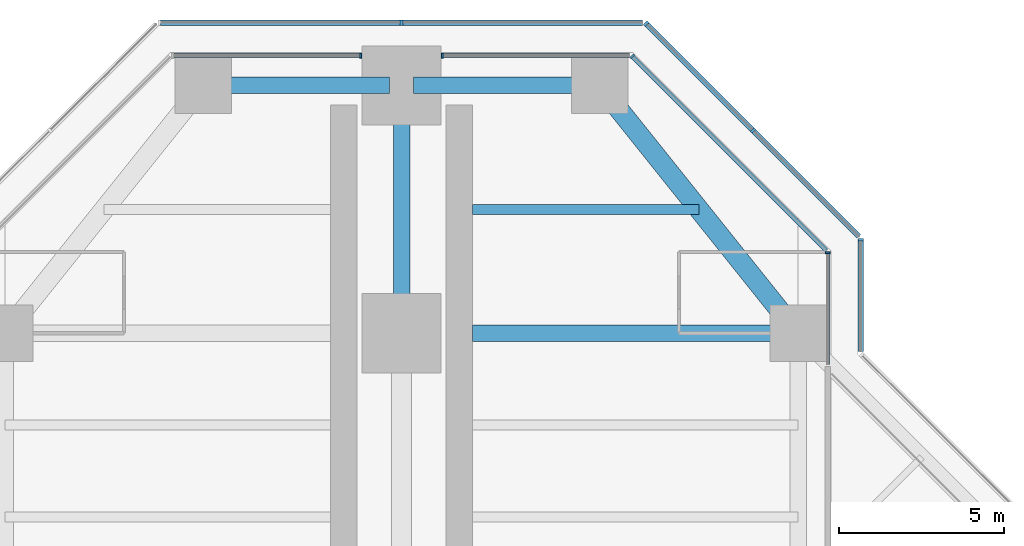
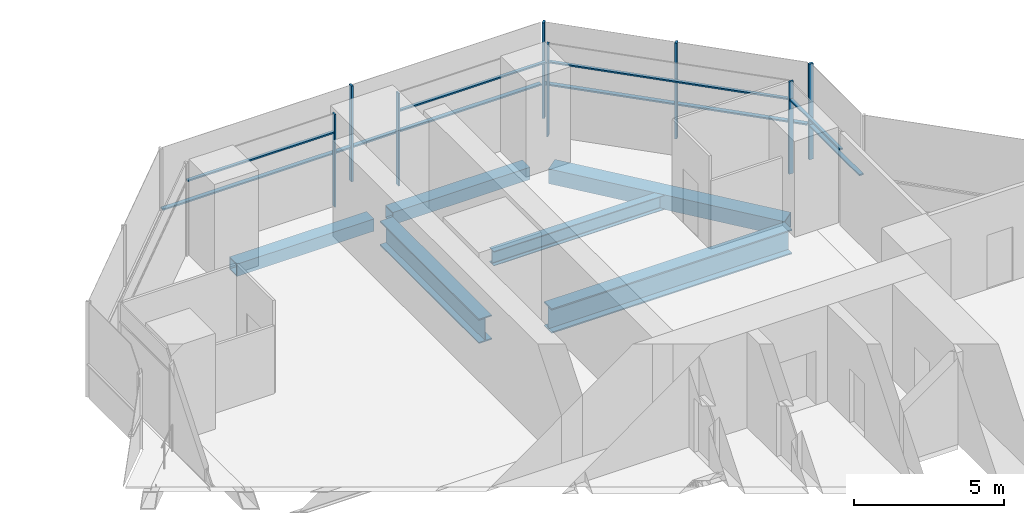
# One storey, part 10 of 20: 17 members, 6 beams, 7 elements without a shape of their own.
"""IFC4 building model written with IfcOpenShell, lengths in metres."""

from ifc_helpers import new_model, si_unit, direction, frame, origin, origin_2d, place, context, subcontext, project, spatial, rectangle, hollow_rectangle, i_section, extrude, material, material_profile, profile_set, type_object, element, aggregate, save


model = new_model("IFC4")

# Units and contexts
model_context = context("Model", 3, precision=1e-05, world=origin(), true_north=direction((0.0, 1.0)))
body_context = subcontext(model_context, "Body", "Model", "MODEL_VIEW")
ifc_project = project(units=[si_unit("LENGTHUNIT", "METRE"), si_unit("AREAUNIT", "SQUARE_METRE"), si_unit("VOLUMEUNIT", "CUBIC_METRE"), si_unit("PLANEANGLEUNIT", "RADIAN"), si_unit("MASSUNIT", "GRAM", prefix="KILO")], contexts=[model_context])

# Site, building, storey
site_placement = place(None, origin())
site = spatial("IfcSite", under=ifc_project, at=site_placement, CompositionType="ELEMENT")
building_placement = place(site_placement, origin())
building = spatial("IfcBuilding", under=site, at=building_placement, Name="Mizan Broadcast Tower", CompositionType="ELEMENT")
storey_placement = place(building_placement, frame((0.0, 0.0, 171.0)))
storey = spatial("IfcBuildingStorey", under=building, at=storey_placement, Name="L39", CompositionType="ELEMENT", Elevation=171.0)

# Beams
ifc_material_1 = material(Name="Steel S355", Category="steel")
ifc_material_profile_1 = material_profile(ifc_material_1, hollow_rectangle(XDim=0.5, YDim=0.5, WallThickness=0.030029296875, at=origin_2d()), Name="BOX 500x500x30")
ifc_profile_set_1 = profile_set([ifc_material_profile_1], Name="Steel S355")
beam_type_1 = type_object("IfcBeamType", Name="EDGE BEAM BOX 500x500x30", PredefinedType="SPANDREL", material=ifc_profile_set_1)
for number, where, z_axis, x_axis, name in (
    (1, (5.639892578125, 27.0, -0.3798828125), (-1.0, 0.0, 0.0), (0.0, -1.0, 0.0), "Edge beam BOX 500x500x30 L39 north arm"),
    (2, (-5.639892578125, 27.0, -0.3798828125), (1.0, 0.0, 0.0), (0.0, 1.0, 0.0), "Edge beam BOX 500x500x30 L39 north arm"),
):
    element("IfcBeam", number, at=place(storey_placement, frame(where, z_axis=z_axis, x_axis=x_axis)), inside=storey, type_object=beam_type_1, Name=name, PredefinedType="SPANDREL", context=body_context, shape_type="SweptSolid", body=[
        extrude(hollow_rectangle(XDim=0.5, YDim=0.5, WallThickness=0.030029296875, at=origin_2d()), origin(), (0.0, 0.0, 1.0), 5.27978515625),
    ])
ifc_material_2 = material(Name="Steel S355", Category="steel")
ifc_material_profile_2 = material_profile(ifc_material_2, hollow_rectangle(XDim=0.60009765625, YDim=0.60009765625, WallThickness=0.030029296875, at=origin_2d()), Name="BOX 600x600x30")
ifc_profile_set_2 = profile_set([ifc_material_profile_2], Name="Steel S355")
beam_type_2 = type_object("IfcBeamType", Name="EDGE BEAM BOX 600x600x30", PredefinedType="SPANDREL", material=ifc_profile_set_2)
beam_1_placement = place(storey_placement, frame((11.639892578125, 19.949951171875, -0.429931640625), z_axis=(-0.624673911726, 0.780885717636, 0.0), x_axis=(-0.780885717636, -0.624673911726, 0.0)))
element("IfcBeam", 3, at=beam_1_placement, inside=storey, type_object=beam_type_2, Name="Edge beam BOX 600x600x30 L39 north arm", PredefinedType="SPANDREL", context=body_context, shape_type="SweptSolid", body=[
    extrude(hollow_rectangle(XDim=0.60009765625, YDim=0.60009765625, WallThickness=0.030029296875, at=origin_2d()), origin(), (0.0, 0.0, 1.0), 8.4521484375),
])
ifc_material_3 = material(Name="Steel S460", Category="steel")
ifc_material_profile_3 = material_profile(ifc_material_3, i_section(OverallWidth=0.5, OverallDepth=1.0, WebThickness=0.02490234375, FlangeThickness=0.050048828125, at=origin_2d()), Name="WPG 1000x500")
ifc_profile_set_3 = profile_set([ifc_material_profile_3], Name="Steel S460")
beam_type_3 = type_object("IfcBeamType", Name="GIRDER WPG 1000x500", PredefinedType="BEAM", material=ifc_profile_set_3)
beam_2_placement = place(storey_placement, frame((0.0, 19.949951171875, -0.6298828125), z_axis=(0.0, 1.0, 0.0), x_axis=(-1.0, 0.0, 0.0)))
element("IfcBeam", 4, at=beam_2_placement, inside=storey, type_object=beam_type_3, Name="Girder WPG 1000x500 L39 north arm", PredefinedType="BEAM", context=body_context, shape_type="SweptSolid", body=[
    extrude(i_section(OverallWidth=0.5, OverallDepth=1.0, WebThickness=0.02490234375, FlangeThickness=0.050048828125, at=origin_2d()), origin(), (0.0, 0.0, 1.0), 6.60009765625),
])
beam_3_placement = place(storey_placement, frame((11.408935546875, 19.5, -0.6298828125), z_axis=(-1.0, 0.0, 0.0), x_axis=(0.0, -1.0, 0.0)))
element("IfcBeam", 5, at=beam_3_placement, inside=storey, type_object=beam_type_3, Name="Girder WPG 1000x500 L39 north arm", PredefinedType="BEAM", context=body_context, shape_type="SweptSolid", body=[
    extrude(i_section(OverallWidth=0.5, OverallDepth=1.0, WebThickness=0.02490234375, FlangeThickness=0.050048828125, at=origin_2d()), origin(), (0.0, 0.0, 1.0), 9.259033203125),
])

# Curtain wall, member
ifc_material_4 = material(Name="Aluminium framed glazing", Category="aluminium")
curtain_wall_type_1 = type_object("IfcCurtainWallType", Name="INNER SKIN MID ZONE", PredefinedType="USERDEFINED", material=ifc_material_4)
curtain_wall_1_placement = place(storey_placement, origin())
curtain_wall_1 = element("IfcCurtainWall", 6, at=curtain_wall_1_placement, inside=storey, type_object=curtain_wall_type_1, Name="Inner skin mid zone L39 N side", ObjectType="INNER SKIN MID ZONE", PredefinedType="USERDEFINED")
ifc_material_5 = material(Name="Aluminium, pale anodised", Category="aluminium")
ifc_material_profile_4 = material_profile(ifc_material_5, rectangle(XDim=0.159912109375, YDim=0.06005859375, at=origin_2d()), Name="MULLION 160x60")
ifc_profile_set_4 = profile_set([ifc_material_profile_4], Name="Aluminium, pale anodised")
member_type_1 = type_object("IfcMemberType", Name="INNER SKIN MULLION 60x160", PredefinedType="MULLION", material=ifc_profile_set_4)
member_1_placement = place(storey_placement, frame((12.89990234375, 21.928466796875, 0.0), z_axis=(0.0, 0.0, 1.0), x_axis=(-1.0, 0.0, 0.0)))
member_1 = element("IfcMember", 7, at=member_1_placement, type_object=member_type_1, Name="Inner skin mid zone L39 N side mullion 2", PredefinedType="MULLION", context=body_context, shape_type="SweptSolid", body=[
    extrude(rectangle(XDim=0.159912109375, YDim=0.06005859375, at=origin_2d()), origin(), (0.0, 0.0, 1.0), 3.77001953125),
])

curtain_wall_2_placement = place(storey_placement, origin())
curtain_wall_2 = element("IfcCurtainWall", 8, at=curtain_wall_2_placement, inside=storey, type_object=curtain_wall_type_1, Name="Inner skin mid zone L39 N chamfer", ObjectType="INNER SKIN MID ZONE", PredefinedType="USERDEFINED")
member_2_placement = place(storey_placement, frame((6.979736328125, 27.87890625, 0.0), z_axis=(0.0, 0.0, 1.0), x_axis=(-0.707106781187, -0.707106781187, 0.0)))
member_2 = element("IfcMember", 9, at=member_2_placement, type_object=member_type_1, Name="Inner skin mid zone L39 N chamfer mullion 2", PredefinedType="MULLION", context=body_context, shape_type="SweptSolid", body=[
    extrude(rectangle(XDim=0.159912109375, YDim=0.06005859375, at=origin_2d()), origin(), (0.0, 0.0, 1.0), 3.77001953125),
])

curtain_wall_3_placement = place(storey_placement, origin())
curtain_wall_3 = element("IfcCurtainWall", 10, at=curtain_wall_3_placement, inside=storey, type_object=curtain_wall_type_1, Name="Inner skin mid zone L39 N end", ObjectType="INNER SKIN MID ZONE", PredefinedType="USERDEFINED")
member_3_placement = place(storey_placement, frame((1.22998046875, 27.89990234375, 0.0), z_axis=(0.0, 0.0, 1.0), x_axis=(0.0, -1.0, 0.0)))
member_3 = element("IfcMember", 11, at=member_3_placement, type_object=member_type_1, Name="Inner skin mid zone L39 N end mullion 2", PredefinedType="MULLION", context=body_context, shape_type="SweptSolid", body=[
    extrude(rectangle(XDim=0.159912109375, YDim=0.06005859375, at=origin_2d()), origin(), (0.0, 0.0, 1.0), 3.77001953125),
])

curtain_wall_4_placement = place(storey_placement, origin())
curtain_wall_4 = element("IfcCurtainWall", 12, at=curtain_wall_4_placement, inside=storey, type_object=curtain_wall_type_1, Name="Inner skin mid zone L39 N end", ObjectType="INNER SKIN MID ZONE", PredefinedType="USERDEFINED")
member_4_placement = place(storey_placement, frame((-1.22998046875, 27.89990234375, 0.0), z_axis=(0.0, 0.0, 1.0), x_axis=(0.0, -1.0, 0.0)))
member_4 = element("IfcMember", 13, at=member_4_placement, type_object=member_type_1, Name="Inner skin mid zone L39 N end mullion 1", PredefinedType="MULLION", context=body_context, shape_type="SweptSolid", body=[
    extrude(rectangle(XDim=0.159912109375, YDim=0.06005859375, at=origin_2d()), origin(), (0.0, 0.0, 1.0), 3.77001953125),
])

# Member
ifc_material_6 = material(Name="Aluminium, pale anodised", Category="aluminium")
ifc_material_profile_5 = material_profile(ifc_material_6, rectangle(XDim=0.1201171875, YDim=0.06005859375, at=origin_2d()), Name="TRANSOM 120x60")
ifc_profile_set_5 = profile_set([ifc_material_profile_5], Name="Aluminium, pale anodised")
member_type_2 = type_object("IfcMemberType", Name="INNER SKIN TRANSOM 60x120", PredefinedType="USERDEFINED", material=ifc_profile_set_5)
member_5_placement = place(storey_placement, frame((12.89990234375, 18.56005859375, 3.030029296875), z_axis=(0.0, 1.0, 0.0), x_axis=(-1.0, 0.0, 0.0)))
member_5 = element("IfcMember", 14, at=member_5_placement, type_object=member_type_2, Name="Inner skin mid zone L39 N side transom 1.1", ObjectType="TRANSOM", PredefinedType="USERDEFINED", context=body_context, shape_type="SweptSolid", body=[
    extrude(rectangle(XDim=0.1201171875, YDim=0.06005859375, at=origin_2d()), origin(), (0.0, 0.0, 1.0), 3.338623046875),
])

aggregate(curtain_wall_1, [member_1, member_5])

member_6_placement = place(storey_placement, frame((12.857666015625, 22.0009765625, 3.030029296875), z_axis=(-0.707106781187, 0.707106781187, 0.0), x_axis=(-0.707106781187, -0.707106781187, 0.0)))
member_6 = element("IfcMember", 15, at=member_6_placement, type_object=member_type_2, Name="Inner skin mid zone L39 N chamfer transom 1.1", ObjectType="TRANSOM", PredefinedType="USERDEFINED", context=body_context, shape_type="SweptSolid", body=[
    extrude(rectangle(XDim=0.1201171875, YDim=0.06005859375, at=origin_2d()), origin(), (0.0, 0.0, 1.0), 8.28271484375),
])

aggregate(curtain_wall_2, [member_2, member_6])

member_7_placement = place(storey_placement, frame((6.898681640625, 27.89990234375, 3.030029296875), z_axis=(-1.0, 0.0, 0.0), x_axis=(0.0, -1.0, 0.0)))
member_7 = element("IfcMember", 16, at=member_7_placement, type_object=member_type_2, Name="Inner skin mid zone L39 N end transom 1.1", ObjectType="TRANSOM", PredefinedType="USERDEFINED", context=body_context, shape_type="SweptSolid", body=[
    extrude(rectangle(XDim=0.1201171875, YDim=0.06005859375, at=origin_2d()), origin(), (0.0, 0.0, 1.0), 5.638671875),
])

aggregate(curtain_wall_3, [member_3, member_7])

member_8_placement = place(storey_placement, frame((-1.260009765625, 27.89990234375, 3.030029296875), z_axis=(-1.0, 0.0, 0.0), x_axis=(0.0, -1.0, 0.0)))
member_8 = element("IfcMember", 17, at=member_8_placement, type_object=member_type_2, Name="Inner skin mid zone L39 N end transom 1.1", ObjectType="TRANSOM", PredefinedType="USERDEFINED", context=body_context, shape_type="SweptSolid", body=[
    extrude(rectangle(XDim=0.1201171875, YDim=0.06005859375, at=origin_2d()), origin(), (0.0, 0.0, 1.0), 5.638671875),
])

aggregate(curtain_wall_4, [member_4, member_8])

# Curtain wall, member
ifc_material_7 = material(Name="Aluminium framed glazing", Category="aluminium")
curtain_wall_type_2 = type_object("IfcCurtainWallType", Name="OUTER SKIN", PredefinedType="USERDEFINED", material=ifc_material_7)
curtain_wall_5_placement = place(storey_placement, origin())
curtain_wall_5 = element("IfcCurtainWall", 18, at=curtain_wall_5_placement, inside=storey, type_object=curtain_wall_type_2, Name="Outer skin L39 N side", ObjectType="OUTER SKIN", PredefinedType="USERDEFINED")
ifc_material_8 = material(Name="Aluminium, pale anodised", Category="aluminium")
ifc_material_profile_6 = material_profile(ifc_material_8, rectangle(XDim=0.159912109375, YDim=0.080078125, at=origin_2d()), Name="MULLION 160x80")
ifc_profile_set_6 = profile_set([ifc_material_profile_6], Name="Aluminium, pale anodised")
member_type_3 = type_object("IfcMemberType", Name="OUTER SKIN MULLION 80x160", PredefinedType="MULLION", material=ifc_profile_set_6)
member_9_placement = place(storey_placement, frame((13.89990234375, 22.332763671875, 0.0), z_axis=(0.0, 0.0, 1.0), x_axis=(-1.0, 0.0, 0.0)))
member_9 = element("IfcMember", 19, at=member_9_placement, type_object=member_type_3, Name="Outer skin L39 N side mullion 2", PredefinedType="MULLION", context=body_context, shape_type="SweptSolid", body=[
    extrude(rectangle(XDim=0.159912109375, YDim=0.080078125, at=origin_2d()), origin(), (0.0, 0.0, 1.0), 3.89990234375),
])

# Curtain wall, members
curtain_wall_6_placement = place(storey_placement, origin())
curtain_wall_6 = element("IfcCurtainWall", 20, at=curtain_wall_6_placement, inside=storey, type_object=curtain_wall_type_2, Name="Outer skin L39 N chamfer", ObjectType="OUTER SKIN", PredefinedType="USERDEFINED")
member_10_placement = place(storey_placement, frame((10.636474609375, 25.636474609375, 0.0), z_axis=(0.0, 0.0, 1.0), x_axis=(-0.707106781187, -0.707106781187, 0.0)))
member_10 = element("IfcMember", 21, at=member_10_placement, type_object=member_type_3, Name="Outer skin L39 N chamfer mullion 2", PredefinedType="MULLION", context=body_context, shape_type="SweptSolid", body=[
    extrude(rectangle(XDim=0.159912109375, YDim=0.080078125, at=origin_2d()), origin(), (0.0, 0.0, 1.0), 3.89990234375),
])
member_11_placement = place(storey_placement, frame((7.401123046875, 28.871826171875, 0.0), z_axis=(0.0, 0.0, 1.0), x_axis=(-0.707106781187, -0.707106781187, 0.0)))
member_11 = element("IfcMember", 22, at=member_11_placement, type_object=member_type_3, Name="Outer skin L39 N chamfer mullion 3", PredefinedType="MULLION", context=body_context, shape_type="SweptSolid", body=[
    extrude(rectangle(XDim=0.159912109375, YDim=0.080078125, at=origin_2d()), origin(), (0.0, 0.0, 1.0), 3.89990234375),
])

# Curtain wall, member
curtain_wall_7_placement = place(storey_placement, origin())
curtain_wall_7 = element("IfcCurtainWall", 23, at=curtain_wall_7_placement, inside=storey, type_object=curtain_wall_type_2, Name="Outer skin L39 N end", ObjectType="OUTER SKIN", PredefinedType="USERDEFINED")
member_12_placement = place(storey_placement, frame((0.0, 28.89990234375, 0.0), z_axis=(0.0, 0.0, 1.0), x_axis=(0.0, -1.0, 0.0)))
member_12 = element("IfcMember", 24, at=member_12_placement, type_object=member_type_3, Name="Outer skin L39 N end mullion 2", PredefinedType="MULLION", context=body_context, shape_type="SweptSolid", body=[
    extrude(rectangle(XDim=0.159912109375, YDim=0.080078125, at=origin_2d()), origin(), (0.0, 0.0, 1.0), 3.89990234375),
])

# Member
ifc_material_9 = material(Name="Aluminium, pale anodised", Category="aluminium")
ifc_material_profile_7 = material_profile(ifc_material_9, rectangle(XDim=0.159912109375, YDim=0.06005859375, at=origin_2d()), Name="TRANSOM 160x60")
ifc_profile_set_7 = profile_set([ifc_material_profile_7], Name="Aluminium, pale anodised")
member_type_4 = type_object("IfcMemberType", Name="OUTER SKIN TRANSOM 60x160", PredefinedType="USERDEFINED", material=ifc_profile_set_7)
member_13_placement = place(storey_placement, frame((13.89990234375, 18.952880859375, 1.39990234375), z_axis=(0.0, 1.0, 0.0), x_axis=(-1.0, 0.0, 0.0)))
member_13 = element("IfcMember", 25, at=member_13_placement, type_object=member_type_4, Name="Outer skin L39 N side transom 1.1", ObjectType="TRANSOM", PredefinedType="USERDEFINED", context=body_context, shape_type="SweptSolid", body=[
    extrude(rectangle(XDim=0.159912109375, YDim=0.06005859375, at=origin_2d()), origin(), (0.0, 0.0, 1.0), 3.33984375),
])

aggregate(curtain_wall_5, [member_9, member_13])

member_14_placement = place(storey_placement, frame((13.843505859375, 22.429443359375, 1.39990234375), z_axis=(-0.707106781187, 0.707106781187, 0.0), x_axis=(-0.707106781187, -0.707106781187, 0.0)))
member_14 = element("IfcMember", 26, at=member_14_placement, type_object=member_type_4, Name="Outer skin L39 N chamfer transom 1.1", ObjectType="TRANSOM", PredefinedType="USERDEFINED", context=body_context, shape_type="SweptSolid", body=[
    extrude(rectangle(XDim=0.159912109375, YDim=0.06005859375, at=origin_2d()), origin(), (0.0, 0.0, 1.0), 4.495361328125),
])

member_15_placement = place(storey_placement, frame((10.608154296875, 25.664794921875, 1.39990234375), z_axis=(-0.707106781187, 0.707106781187, 0.0), x_axis=(-0.707106781187, -0.707106781187, 0.0)))
member_15 = element("IfcMember", 27, at=member_15_placement, type_object=member_type_4, Name="Outer skin L39 N chamfer transom 2.1", ObjectType="TRANSOM", PredefinedType="USERDEFINED", context=body_context, shape_type="SweptSolid", body=[
    extrude(rectangle(XDim=0.159912109375, YDim=0.06005859375, at=origin_2d()), origin(), (0.0, 0.0, 1.0), 4.495361328125),
])

aggregate(curtain_wall_6, [member_10, member_11, member_14, member_15])

member_16_placement = place(storey_placement, frame((7.292724609375, 28.89990234375, 1.39990234375), z_axis=(-1.0, 0.0, 0.0), x_axis=(0.0, -1.0, 0.0)))
member_16 = element("IfcMember", 28, at=member_16_placement, type_object=member_type_4, Name="Outer skin L39 N end transom 1.1", ObjectType="TRANSOM", PredefinedType="USERDEFINED", context=body_context, shape_type="SweptSolid", body=[
    extrude(rectangle(XDim=0.159912109375, YDim=0.06005859375, at=origin_2d()), origin(), (0.0, 0.0, 1.0), 7.252685546875),
])

member_17_placement = place(storey_placement, frame((-0.0400390625, 28.89990234375, 1.39990234375), z_axis=(-1.0, 0.0, 0.0), x_axis=(0.0, -1.0, 0.0)))
member_17 = element("IfcMember", 29, at=member_17_placement, type_object=member_type_4, Name="Outer skin L39 N end transom 2.1", ObjectType="TRANSOM", PredefinedType="USERDEFINED", context=body_context, shape_type="SweptSolid", body=[
    extrude(rectangle(XDim=0.159912109375, YDim=0.06005859375, at=origin_2d()), origin(), (0.0, 0.0, 1.0), 7.252685546875),
])

aggregate(curtain_wall_7, [member_12, member_16, member_17])

# Beam
ifc_material_10 = material(Name="Steel S355", Category="steel")
ifc_material_profile_8 = material_profile(ifc_material_10, i_section(OverallWidth=0.300048828125, OverallDepth=0.590087890625, WebThickness=0.012939453125, FlangeThickness=0.02490234375, FilletRadius=0.027099609375, at=origin_2d()), Name="HEA 600")
ifc_profile_set_8 = profile_set([ifc_material_profile_8], Name="Steel S355")
beam_type_4 = type_object("IfcBeamType", Name="SECONDARY BEAM HEA 600", PredefinedType="JOIST", material=ifc_profile_set_8)
beam_4_placement = place(storey_placement, frame((9.0, 23.25, -0.425048828125), z_axis=(-1.0, 0.0, 0.0), x_axis=(0.0, -1.0, 0.0)))
element("IfcBeam", 30, at=beam_4_placement, inside=storey, type_object=beam_type_4, Name="Secondary beam HEA 600 L39 north arm", PredefinedType="JOIST", context=body_context, shape_type="SweptSolid", body=[
    extrude(i_section(OverallWidth=0.300048828125, OverallDepth=0.590087890625, WebThickness=0.012939453125, FlangeThickness=0.02490234375, FilletRadius=0.027099609375, at=origin_2d()), origin(), (0.0, 0.0, 1.0), 6.85009765625),
])

save(model, "model.ifc")
